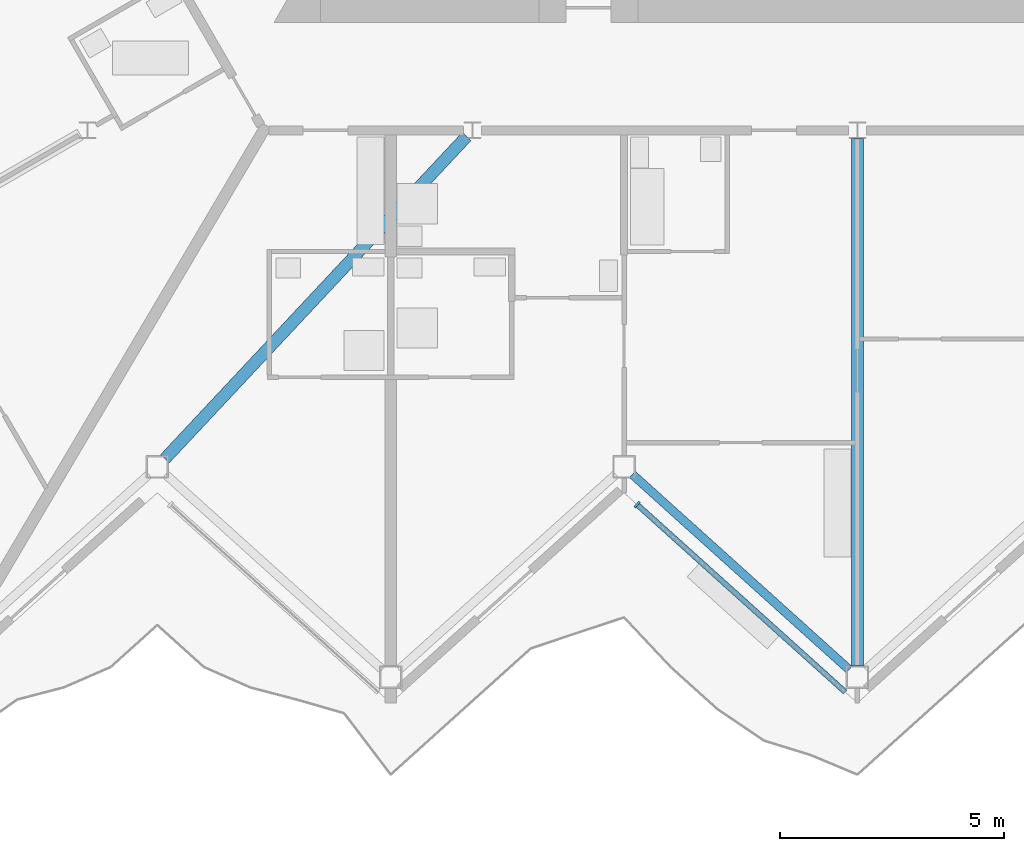
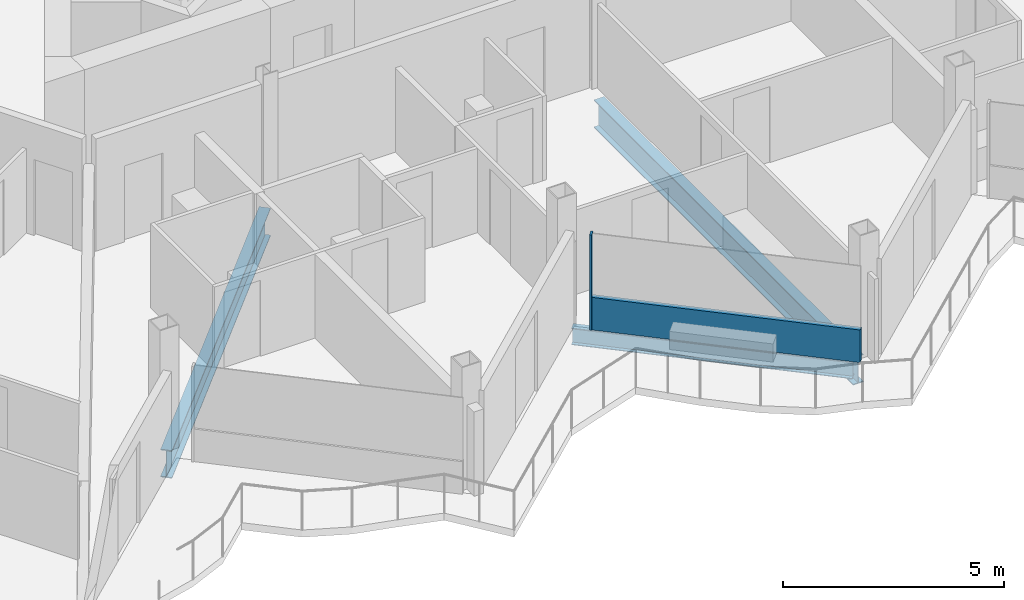
# One storey, part 5 of 26: 3 beams, 2 members, 1 element without a shape of its own.
"""IFC4 building model written with IfcOpenShell, lengths in metres."""

import ifcopenshell
import ifcopenshell.guid

model = None  # the IFC model being written
_history = None  # IfcOwnerHistory: only IFC2X3 demands one
_inside = {}  # id of a spatial element -> (the spatial element, [elements in it])
_under = {}  # id of a project, library or spatial element -> (it, [spatial elements below it])
_declared = {}  # id of a project -> (the project, [libraries it declares])
_typed = {}  # id of a type object -> (the type object, [elements of that type])
_made_of = {}  # id of a material, layer set ... -> (it, [elements and type objects made of it])


def new_model(schema):
    """Start an empty IFC model of exactly this schema.

    Asked for "IFC4X3", IfcOpenShell would pick the latest addendum, in which some entities
    have other attributes; the version numbers below select the first issue.
    IFC2X3 requires an IfcOwnerHistory on every rooted entity: one is made here for all.
    """
    global model, _history
    if schema == "IFC4X3":
        model = ifcopenshell.file(schema_version=(4, 3, 0, 0))
    else:
        model = ifcopenshell.file(schema=schema)
    _inside.clear()
    _under.clear()
    _declared.clear()
    _typed.clear()
    _made_of.clear()
    _history = None
    if model.schema == "IFC2X3":
        org = make("IfcOrganization", Name="unknown")
        user = make(
            "IfcPersonAndOrganization",
            ThePerson=make("IfcPerson", FamilyName="unknown"),
            TheOrganization=org,
        )
        app = make(
            "IfcApplication",
            ApplicationDeveloper=org,
            Version="unknown",
            ApplicationFullName="unknown",
            ApplicationIdentifier="unknown",
        )
        _history = make(
            "IfcOwnerHistory",
            OwningUser=user,
            OwningApplication=app,
            ChangeAction="ADDED",
            CreationDate=0,
        )
    return model


def make(cls, **values):
    """One entity of the class cls with the attributes given. An attribute that is None is left unset."""
    return model.create_entity(
        cls, **{name: value for name, value in values.items() if value is not None}
    )


def rooted(cls, **values):
    """An entity with a GlobalId (a new one), such as an element, a storey or a relation."""
    return make(cls, GlobalId=ifcopenshell.guid.new(), OwnerHistory=_history, **values)


def si_unit(unit_type, name, prefix=None):
    """IfcSIUnit, for example si_unit("LENGTHUNIT", "METRE", prefix="MILLI")."""
    return make("IfcSIUnit", UnitType=unit_type, Prefix=prefix, Name=name)


def assignment(units):
    """IfcUnitAssignment: the units of a project."""
    return None if units is None else make("IfcUnitAssignment", Units=units)


def point(xyz):
    """IfcCartesianPoint."""
    return None if xyz is None else make("IfcCartesianPoint", Coordinates=xyz)


def direction(xyz):
    """IfcDirection."""
    return None if xyz is None else make("IfcDirection", DirectionRatios=xyz)


def frame(location, z_axis=None, x_axis=None):
    """IfcAxis2Placement3D, a coordinate frame: its origin and axes. An axis left out is left unset."""
    return make(
        "IfcAxis2Placement3D",
        Location=point(location),
        Axis=direction(z_axis),
        RefDirection=direction(x_axis),
    )


def frame_2d(location, x_axis=None):
    """IfcAxis2Placement2D, a coordinate frame in the plane: its origin and x axis."""
    return make(
        "IfcAxis2Placement2D", Location=point(location), RefDirection=direction(x_axis)
    )


def origin():
    """The frame at (0, 0, 0) with its axes left unset."""
    return frame((0.0, 0.0, 0.0))


def origin_2d():
    """The frame at (0, 0) in the plane with its x axis left unset."""
    return frame_2d((0.0, 0.0))


def place(relative_to, where):
    """IfcLocalPlacement: puts the frame where relative to a parent placement (None: the world)."""
    return make(
        "IfcLocalPlacement", PlacementRelTo=relative_to, RelativePlacement=where
    )


def context(
    kind, dimensions, precision=None, world=None, true_north=None, identifier=None
):
    """IfcGeometricRepresentationContext, for example the 3D "Model" context."""
    return make(
        "IfcGeometricRepresentationContext",
        ContextIdentifier=identifier,
        ContextType=kind,
        CoordinateSpaceDimension=dimensions,
        Precision=precision,
        WorldCoordinateSystem=world,
        TrueNorth=true_north,
    )


def subcontext(parent, identifier, kind, view, scale=None):
    """IfcGeometricRepresentationSubContext, for example "Body" below "Model"."""
    return make(
        "IfcGeometricRepresentationSubContext",
        ContextIdentifier=identifier,
        ContextType=kind,
        ParentContext=parent,
        TargetScale=scale,
        TargetView=view,
    )


def project(units=None, contexts=None):
    """IfcProject with its units and contexts."""
    return rooted(
        "IfcProject",
        Name="project",
        RepresentationContexts=contexts,
        UnitsInContext=assignment(units),
    )


def spatial(cls, under=None, at=None, **own):
    """A site, building, storey or space (cls), placed at a placement, below another one or the project."""
    s = rooted(cls, ObjectPlacement=at, **own)
    if under is not None:
        _under.setdefault(under.id(), (under, []))[1].append(s)
    return s


def profile(cls, at=None, kind="AREA", **sizes):
    """A parametric profile (cls). Its sizes go by their IFC names, for example OverallWidth=200.0."""
    return make(cls, ProfileType=kind, Position=at, **sizes)


def rectangle(**sizes):
    """IfcRectangleProfileDef."""
    return profile("IfcRectangleProfileDef", **sizes)


def i_section(**sizes):
    """IfcIShapeProfileDef."""
    return profile("IfcIShapeProfileDef", **sizes)


def extrude(swept, where, along, depth):
    """IfcExtrudedAreaSolid: the profile swept, set in the frame where, extruded along a direction by depth."""
    return make(
        "IfcExtrudedAreaSolid",
        SweptArea=swept,
        Position=where,
        ExtrudedDirection=direction(along),
        Depth=depth,
    )


def shape(context_of_items, identifier, shape_type, items):
    """IfcShapeRepresentation: the items that make up one representation, for example the "Body"."""
    return make(
        "IfcShapeRepresentation",
        ContextOfItems=context_of_items,
        RepresentationIdentifier=identifier,
        RepresentationType=shape_type,
        Items=items,
    )


def material(Name=None, Category=None):
    """IfcMaterial."""
    return make("IfcMaterial", Name=Name, Category=Category)


def layer(
    of_material, thickness, ventilated=None, Name=None, Category=None, Priority=None
):
    """IfcMaterialLayer: one layer of a wall or slab, of a material (None: an air gap)."""
    return make(
        "IfcMaterialLayer",
        Material=of_material,
        LayerThickness=thickness,
        IsVentilated=ventilated,
        Name=Name,
        Category=Category,
        Priority=Priority,
    )


def layer_set(layers, Name=None):
    """IfcMaterialLayerSet."""
    return make("IfcMaterialLayerSet", MaterialLayers=layers, LayerSetName=Name)


def material_profile(
    of_material, cross_section, Name=None, Category=None, Priority=None
):
    """IfcMaterialProfile: a cross section and its material."""
    return make(
        "IfcMaterialProfile",
        Name=Name,
        Material=of_material,
        Profile=cross_section,
        Priority=Priority,
        Category=Category,
    )


def profile_set(profiles, Name=None, composite=None):
    """IfcMaterialProfileSet."""
    return make(
        "IfcMaterialProfileSet",
        Name=Name,
        MaterialProfiles=profiles,
        CompositeProfile=composite,
    )


def made_of(thing, what):
    """Note that an element or type object is made of a material, layer set ...; save() writes the relation."""
    if what is not None:
        _made_of.setdefault(what.id(), (what, []))[1].append(thing)
    return thing


def type_object(cls, material=None, **own):
    """A type object (cls), such as IfcWallType, which elements share."""
    return made_of(rooted(cls, **own), material)


def element(
    cls,
    number,
    at=None,
    inside=None,
    cuts=None,
    type_object=None,
    material=None,
    context=None,
    identifier="Body",
    shape_type=None,
    held_by="IfcProductDefinitionShape",
    body=None,
    shapes=None,
    **own,
):
    """One element of the class cls, such as IfcWall. Its Tag is "e" and its number.

    at: its placement. inside: the storey or other place that contains it. cuts: it is an
    opening in that element (IfcRelVoidsElement). A single representation is given by context,
    identifier, shape_type and body (its items); several are given by shapes. held_by: the class
    of the entity that holds the representations. save() writes the other relations.
    """
    e = rooted(cls, Tag="e%d" % number, ObjectPlacement=at, **own)
    if body is not None:
        shapes = [shape(context, identifier, shape_type, body)]
    if shapes is not None:
        e.Representation = make(held_by, Representations=shapes)
    if inside is not None:
        _inside.setdefault(inside.id(), (inside, []))[1].append(e)
    if cuts is not None:
        rooted(
            "IfcRelVoidsElement", RelatingBuildingElement=cuts, RelatedOpeningElement=e
        )
    if type_object is not None:
        _typed.setdefault(type_object.id(), (type_object, []))[1].append(e)
    return made_of(e, material)


def aggregate(whole, parts):
    """IfcRelAggregates: a whole, such as a stair, and the parts it consists of."""
    return rooted("IfcRelAggregates", RelatingObject=whole, RelatedObjects=parts)


def save(model, path):
    """Write the relations noted so far, then the file.

    IfcRelAggregates (storeys below a building ...), IfcRelContainedInSpatialStructure (elements
    in a storey), IfcRelDefinesByType, IfcRelAssociatesMaterial and IfcRelDeclares: one each for
    every whole, place, type object, material and project.
    """
    for whole, parts in _under.values():
        aggregate(whole, parts)
    for where, things in _inside.values():
        rooted(
            "IfcRelContainedInSpatialStructure",
            RelatedElements=things,
            RelatingStructure=where,
        )
    for kind, things in _typed.values():
        rooted("IfcRelDefinesByType", RelatedObjects=things, RelatingType=kind)
    for what, things in _made_of.values():
        rooted("IfcRelAssociatesMaterial", RelatedObjects=things, RelatingMaterial=what)
    for by, libraries in _declared.values():
        rooted("IfcRelDeclares", RelatingContext=by, RelatedDefinitions=libraries)
    model.write(path)


model = new_model("IFC4")

# Units and contexts
model_context = context("Model", 3, precision=1e-05, world=origin(), true_north=direction((0.0, 1.0)))
body_context = subcontext(model_context, "Body", "Model", "MODEL_VIEW")
ifc_project = project(units=[si_unit("LENGTHUNIT", "METRE"), si_unit("AREAUNIT", "SQUARE_METRE"), si_unit("VOLUMEUNIT", "CUBIC_METRE"), si_unit("PLANEANGLEUNIT", "RADIAN"), si_unit("MASSUNIT", "GRAM", prefix="KILO")], contexts=[model_context])

# Site, building, storey
site_placement = place(None, origin())
site = spatial("IfcSite", under=ifc_project, at=site_placement, CompositionType="ELEMENT")
building_placement = place(site_placement, origin())
building = spatial("IfcBuilding", under=site, at=building_placement, Name="Cormorant Prow Tower", CompositionType="ELEMENT")
storey_placement = place(building_placement, frame((0.0, 0.0, 378.0)))
storey = spatial("IfcBuildingStorey", under=building, at=storey_placement, Name="L85", CompositionType="ELEMENT", Elevation=378.0)

# Beams
ifc_material_1 = material(Name="Structural steel ASTM A992 Gr 50", Category="steel")
ifc_material_profile_1 = material_profile(ifc_material_1, i_section(OverallWidth=0.267822265625, OverallDepth=0.77001953125, WebThickness=0.015625, FlangeThickness=0.025390625, at=origin_2d()), Name="W30x132")
ifc_profile_set_1 = profile_set([ifc_material_profile_1], Name="Structural steel ASTM A992 Gr 50")
beam_type_1 = type_object("IfcBeamType", Name="Radial floor beam W30x132", PredefinedType="BEAM", material=ifc_profile_set_1)
beam_1_placement = place(storey_placement, frame((-8.706298828125, -10.0419921875, -0.68505859375), z_axis=(-0.683430760659, -0.730015339144, 0.0), x_axis=(0.730015339144, -0.683430760659, 0.0)))
element("IfcBeam", 1, at=beam_1_placement, inside=storey, type_object=beam_type_1, Name="Radial floor beam FB3 6 L85", PredefinedType="BEAM", context=body_context, shape_type="SweptSolid", body=[
    extrude(i_section(OverallWidth=0.267822265625, OverallDepth=0.77001953125, WebThickness=0.015625, FlangeThickness=0.025390625, at=origin_2d()), origin(), (0.0, 0.0, 1.0), 9.8369140625),
])
beam_2_placement = place(storey_placement, frame((0.0, -10.092529296875, -0.68505859375), z_axis=(0.0, -1.0, 0.0), x_axis=(1.0, 0.0, 0.0)))
element("IfcBeam", 2, at=beam_2_placement, inside=storey, type_object=beam_type_1, Name="Radial floor beam FB3 7 L85", PredefinedType="BEAM", context=body_context, shape_type="SweptSolid", body=[
    extrude(i_section(OverallWidth=0.267822265625, OverallDepth=0.77001953125, WebThickness=0.015625, FlangeThickness=0.025390625, at=origin_2d()), origin(), (0.0, 0.0, 1.0), 11.745361328125),
])

# Curtain wall, members
ifc_material_2 = material(Name="Aluminium 6063-T6", Category="aluminium")
ifc_layer = layer(ifc_material_2, 0.159912109375)
ifc_layer_set = layer_set([ifc_layer], Name="Aluminium 6063-T6")
curtain_wall_type = type_object("IfcCurtainWallType", Name="Residential unitised curtain wall 160", PredefinedType="NOTDEFINED", material=ifc_layer_set)
curtain_wall_placement = place(storey_placement, origin())
curtain_wall = element("IfcCurtainWall", 3, at=curtain_wall_placement, inside=storey, type_object=curtain_wall_type, Name="Residential curtain wall S04", PredefinedType="NOTDEFINED")
ifc_material_3 = material(Name="Aluminium 6063-T6", Category="aluminium")
ifc_material_profile_2 = material_profile(ifc_material_3, rectangle(XDim=0.159912109375, YDim=0.050048828125, at=origin_2d()), Name="Residential mullion 50x160")
ifc_profile_set_2 = profile_set([ifc_material_profile_2], Name="Aluminium 6063-T6")
member_type_1 = type_object("IfcMemberType", Name="Residential mullion 50x160", PredefinedType="MULLION", material=ifc_profile_set_2)
member_1_placement = place(storey_placement, frame((-4.909423828125, -18.2451171875, 0.0), z_axis=(0.0, 0.0, 1.0), x_axis=(0.669130603959, 0.743144827638, 0.0)))
member_1 = element("IfcMember", 4, at=member_1_placement, type_object=member_type_1, Name="Residential mullion S04", PredefinedType="MULLION", context=body_context, shape_type="SweptSolid", body=[
    extrude(rectangle(XDim=0.159912109375, YDim=0.050048828125, at=origin_2d()), origin(), (0.0, 0.0, 1.0), 2.6337890625),
])
ifc_material_4 = material(Name="Terracotta", Category="masonry")
ifc_material_profile_3 = material_profile(ifc_material_4, rectangle(XDim=0.1201171875, YDim=0.89990234375, at=origin_2d()), Name="Residential terracotta spandrel rail 120x900")
ifc_profile_set_3 = profile_set([ifc_material_profile_3], Name="Terracotta")
member_type_2 = type_object("IfcMemberType", Name="Residential terracotta spandrel rail 120x900", PredefinedType="USERDEFINED", material=ifc_profile_set_3)
member_2_placement = place(storey_placement, frame((-4.890869140625, -18.261962890625, 0.449951171875), z_axis=(0.743159360055, -0.669114463723, 0.0), x_axis=(0.669114463723, 0.743159360055, 0.0)))
member_2 = element("IfcMember", 5, at=member_2_placement, type_object=member_type_2, Name="Residential spandrel rail S04", ObjectType="TRANSOM", PredefinedType="USERDEFINED", context=body_context, shape_type="SweptSolid", body=[
    extrude(rectangle(XDim=0.1201171875, YDim=0.89990234375, at=origin_2d()), origin(), (0.0, 0.0, 1.0), 6.21533203125),
])
aggregate(curtain_wall, [member_1, member_2])

# Beam
ifc_material_5 = material(Name="Structural steel ASTM A992 Gr 50", Category="steel")
ifc_material_profile_4 = material_profile(ifc_material_5, i_section(OverallWidth=0.19287109375, OverallDepth=0.466064453125, WebThickness=0.011474609375, FlangeThickness=0.01904296875, at=origin_2d()), Name="W18x65")
ifc_profile_set_4 = profile_set([ifc_material_profile_4], Name="Structural steel ASTM A992 Gr 50")
beam_type_2 = type_object("IfcBeamType", Name="Spandrel beam W18x65", PredefinedType="SPANDREL", material=ifc_profile_set_4)
beam_3_placement = place(storey_placement, frame((-5.01416015625, -17.572998046875, -0.532958984375), z_axis=(0.743131573737, -0.669145323614, 0.0), x_axis=(0.669145323614, 0.743131573737, 0.0)))
element("IfcBeam", 6, at=beam_3_placement, inside=storey, type_object=beam_type_2, Name="Spandrel beam SB4 S04-S05 L85", PredefinedType="SPANDREL", context=body_context, shape_type="SweptSolid", body=[
    extrude(i_section(OverallWidth=0.19287109375, OverallDepth=0.466064453125, WebThickness=0.011474609375, FlangeThickness=0.01904296875, at=origin_2d()), origin(), (0.0, 0.0, 1.0), 6.497314453125),
])

save(model, "model.ifc")
